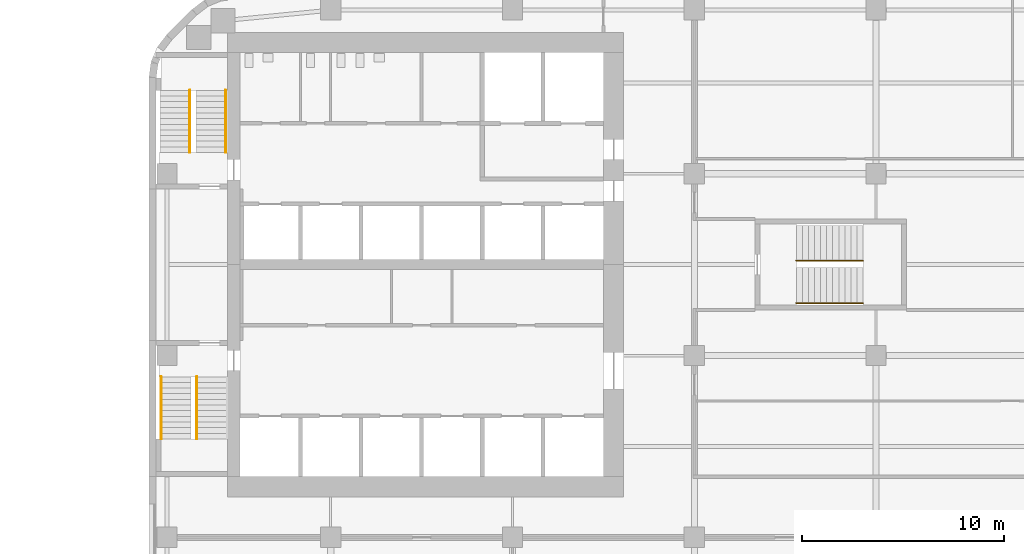
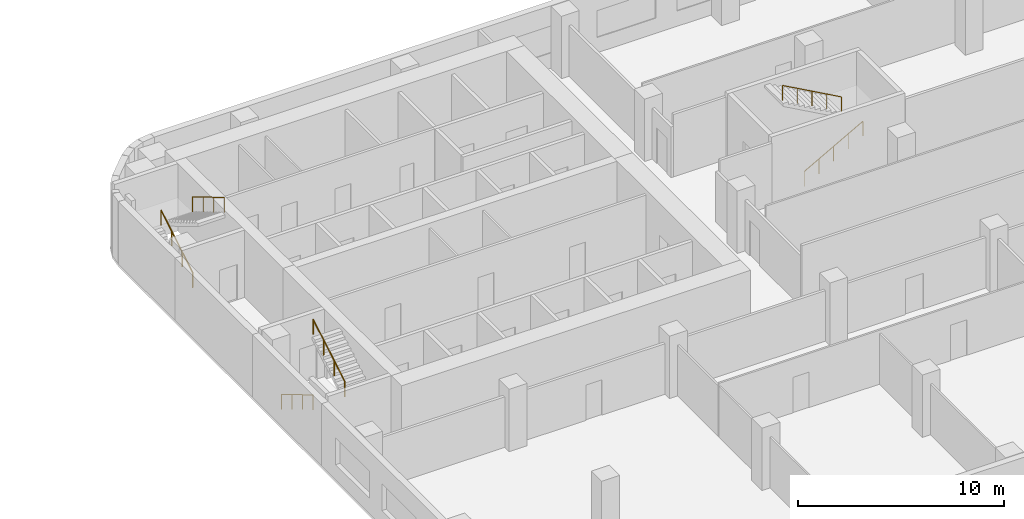
# One storey, part 15 of 16: 6 railings, 3 elements without a shape of their own.
"""IFC4 building model written with IfcOpenShell, lengths in metres."""

from ifc_helpers import new_model, si_unit, direction, frame, origin, origin_2d, place, context, subcontext, project, spatial, circle, extrude, material, type_object, element, aggregate, save


model = new_model("IFC4")

# Units and contexts
model_context = context("Model", 3, precision=1e-05, world=origin(), true_north=direction((0.0, 1.0)))
body_context = subcontext(model_context, "Body", "Model", "MODEL_VIEW")
ifc_project = project(units=[si_unit("LENGTHUNIT", "METRE"), si_unit("AREAUNIT", "SQUARE_METRE"), si_unit("VOLUMEUNIT", "CUBIC_METRE"), si_unit("PLANEANGLEUNIT", "RADIAN"), si_unit("MASSUNIT", "GRAM", prefix="KILO")], contexts=[model_context])

# Site, building, storey
site_placement = place(None, origin())
site = spatial("IfcSite", under=ifc_project, at=site_placement, CompositionType="ELEMENT")
building_placement = place(site_placement, origin())
building = spatial("IfcBuilding", under=site, at=building_placement, Name="Cinnabar Reach Civic Tower", CompositionType="ELEMENT")
storey_placement = place(building_placement, frame((0.0, 0.0, 42.0)))
storey = spatial("IfcBuildingStorey", under=building, at=storey_placement, Name="L09", CompositionType="ELEMENT", Elevation=42.0)

# Stair, railings
ifc_material_1 = material(Name="Concrete C40/50", Category="concrete")
stair_type = type_object("IfcStairType", Name="T1 Exit stair, half-turn", PredefinedType="HALF_TURN_STAIR", material=ifc_material_1)
stair_1_placement = place(storey_placement, origin())
stair_1 = element("IfcStair", 1, at=stair_1_placement, inside=storey, type_object=stair_type, Name="Stair T1-S1", PredefinedType="HALF_TURN_STAIR")
ifc_material_2 = material(Name="Stainless steel tube", Category="steel")
railing_type = type_object("IfcRailingType", Name="T1 Stair handrail, stainless tube 48", PredefinedType="HANDRAIL", material=ifc_material_2)
railing_1_placement = place(storey_placement, frame((0.6, 25.95, 0.1667)))
railing_1 = element("IfcRailing", 2, at=railing_1_placement, type_object=railing_type, Name="T1-S1 handrail 1", PredefinedType="HANDRAIL", context=body_context, shape_type="SweptSolid", body=[
    extrude(circle(Radius=0.024, at=origin_2d()), frame((0.0, 0.0, 0.876), z_axis=(0.0, -0.859296971757, 0.511476992962), x_axis=(1.0, 0.0, 0.0)), (0.0, 0.0, 1.0), 3.5843),
    extrude(circle(Radius=0.021, at=origin_2d()), origin(), (0.0, 0.0, 1.0), 0.852),
    extrude(circle(Radius=0.021, at=origin_2d()), frame((0.0, -1.0267, 0.6111)), (0.0, 0.0, 1.0), 0.852),
    extrude(circle(Radius=0.021, at=origin_2d()), frame((0.0, -2.0533, 1.2222)), (0.0, 0.0, 1.0), 0.852),
    extrude(circle(Radius=0.021, at=origin_2d()), frame((0.0, -3.08, 1.8333)), (0.0, 0.0, 1.0), 0.852),
])
railing_2_placement = place(storey_placement, frame((2.375, 22.87, 2.1667)))
railing_2 = element("IfcRailing", 3, at=railing_2_placement, type_object=railing_type, Name="T1-S1 handrail 2", PredefinedType="HANDRAIL", context=body_context, shape_type="SweptSolid", body=[
    extrude(circle(Radius=0.024, at=origin_2d()), frame((0.0, 0.0, 0.876), z_axis=(0.0, 0.859296971757, 0.511476992962), x_axis=(-1.0, 0.0, 0.0)), (0.0, 0.0, 1.0), 3.5843),
    extrude(circle(Radius=0.021, at=origin_2d()), origin(), (0.0, 0.0, 1.0), 0.852),
    extrude(circle(Radius=0.021, at=origin_2d()), frame((0.0, 1.0267, 0.6111)), (0.0, 0.0, 1.0), 0.852),
    extrude(circle(Radius=0.021, at=origin_2d()), frame((0.0, 2.0533, 1.2222)), (0.0, 0.0, 1.0), 0.852),
    extrude(circle(Radius=0.021, at=origin_2d()), frame((0.0, 3.08, 1.8333)), (0.0, 0.0, 1.0), 0.852),
])
aggregate(stair_1, [railing_1, railing_2])

stair_2_placement = place(storey_placement, origin())
stair_2 = element("IfcStair", 4, at=stair_2_placement, inside=storey, type_object=stair_type, Name="Stair T1-S2", PredefinedType="HALF_TURN_STAIR")
railing_3_placement = place(storey_placement, frame((2.025, 37.05, 0.1667)))
railing_3 = element("IfcRailing", 5, at=railing_3_placement, type_object=railing_type, Name="T1-S2 handrail 1", PredefinedType="HANDRAIL", context=body_context, shape_type="SweptSolid", body=[
    extrude(circle(Radius=0.024, at=origin_2d()), frame((0.0, 0.0, 0.876), z_axis=(0.0, 0.859296971757, 0.511476992962), x_axis=(-1.0, 0.0, 0.0)), (0.0, 0.0, 1.0), 3.5843),
    extrude(circle(Radius=0.021, at=origin_2d()), origin(), (0.0, 0.0, 1.0), 0.852),
    extrude(circle(Radius=0.021, at=origin_2d()), frame((0.0, 1.0267, 0.6111)), (0.0, 0.0, 1.0), 0.852),
    extrude(circle(Radius=0.021, at=origin_2d()), frame((0.0, 2.0533, 1.2222)), (0.0, 0.0, 1.0), 0.852),
    extrude(circle(Radius=0.021, at=origin_2d()), frame((0.0, 3.08, 1.8333)), (0.0, 0.0, 1.0), 0.852),
])
railing_4_placement = place(storey_placement, frame((3.8, 40.13, 2.1667)))
railing_4 = element("IfcRailing", 6, at=railing_4_placement, type_object=railing_type, Name="T1-S2 handrail 2", PredefinedType="HANDRAIL", context=body_context, shape_type="SweptSolid", body=[
    extrude(circle(Radius=0.024, at=origin_2d()), frame((0.0, 0.0, 0.876), z_axis=(0.0, -0.859296971757, 0.511476992962), x_axis=(1.0, 0.0, 0.0)), (0.0, 0.0, 1.0), 3.5843),
    extrude(circle(Radius=0.021, at=origin_2d()), origin(), (0.0, 0.0, 1.0), 0.852),
    extrude(circle(Radius=0.021, at=origin_2d()), frame((0.0, -1.0267, 0.6111)), (0.0, 0.0, 1.0), 0.852),
    extrude(circle(Radius=0.021, at=origin_2d()), frame((0.0, -2.0533, 1.2222)), (0.0, 0.0, 1.0), 0.852),
    extrude(circle(Radius=0.021, at=origin_2d()), frame((0.0, -3.08, 1.8333)), (0.0, 0.0, 1.0), 0.852),
])
aggregate(stair_2, [railing_3, railing_4])

stair_3_placement = place(storey_placement, origin())
stair_3 = element("IfcStair", 7, at=stair_3_placement, inside=storey, type_object=stair_type, Name="Stair T1-S3", PredefinedType="HALF_TURN_STAIR")
railing_5_placement = place(storey_placement, frame((32.05, 29.6, 0.1667)))
railing_5 = element("IfcRailing", 8, at=railing_5_placement, type_object=railing_type, Name="T1-S3 handrail 1", PredefinedType="HANDRAIL", context=body_context, shape_type="SweptSolid", body=[
    extrude(circle(Radius=0.024, at=origin_2d()), frame((0.0, 0.0, 0.876), z_axis=(0.874161024642, 0.0, 0.485636183781), x_axis=(0.0, 1.0, 0.0)), (0.0, 0.0, 1.0), 3.775),
    extrude(circle(Radius=0.021, at=origin_2d()), origin(), (0.0, 0.0, 1.0), 0.852),
    extrude(circle(Radius=0.021, at=origin_2d()), frame((0.825, 0.0, 0.4583)), (0.0, 0.0, 1.0), 0.852),
    extrude(circle(Radius=0.021, at=origin_2d()), frame((1.65, 0.0, 0.9167)), (0.0, 0.0, 1.0), 0.852),
    extrude(circle(Radius=0.021, at=origin_2d()), frame((2.475, 0.0, 1.375)), (0.0, 0.0, 1.0), 0.852),
    extrude(circle(Radius=0.021, at=origin_2d()), frame((3.3, 0.0, 1.8333)), (0.0, 0.0, 1.0), 0.852),
])
railing_6_placement = place(storey_placement, frame((35.35, 31.7, 2.1667)))
railing_6 = element("IfcRailing", 9, at=railing_6_placement, type_object=railing_type, Name="T1-S3 handrail 2", PredefinedType="HANDRAIL", context=body_context, shape_type="SweptSolid", body=[
    extrude(circle(Radius=0.024, at=origin_2d()), frame((0.0, 0.0, 0.876), z_axis=(-0.874161024642, 0.0, 0.485636183781), x_axis=(0.0, -1.0, 0.0)), (0.0, 0.0, 1.0), 3.775),
    extrude(circle(Radius=0.021, at=origin_2d()), origin(), (0.0, 0.0, 1.0), 0.852),
    extrude(circle(Radius=0.021, at=origin_2d()), frame((-0.825, 0.0, 0.4583)), (0.0, 0.0, 1.0), 0.852),
    extrude(circle(Radius=0.021, at=origin_2d()), frame((-1.65, 0.0, 0.9167)), (0.0, 0.0, 1.0), 0.852),
    extrude(circle(Radius=0.021, at=origin_2d()), frame((-2.475, 0.0, 1.375)), (0.0, 0.0, 1.0), 0.852),
    extrude(circle(Radius=0.021, at=origin_2d()), frame((-3.3, 0.0, 1.8333)), (0.0, 0.0, 1.0), 0.852),
])
aggregate(stair_3, [railing_5, railing_6])

save(model, "model.ifc")
